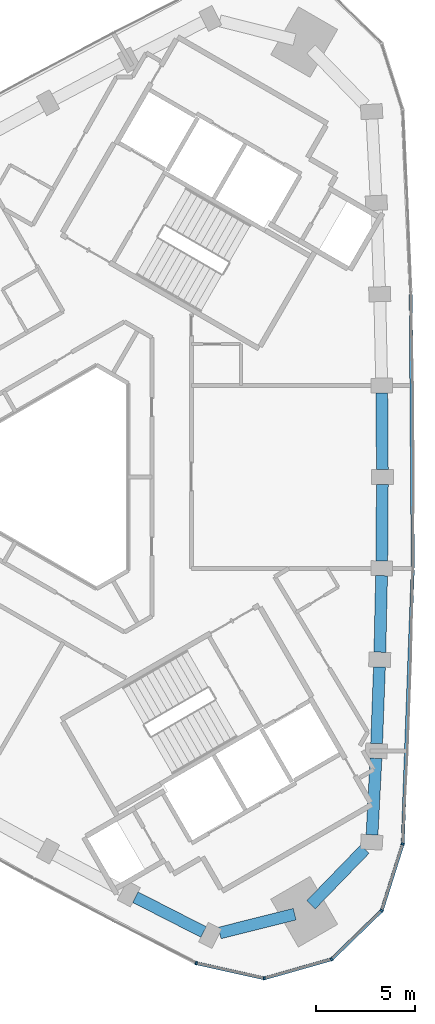
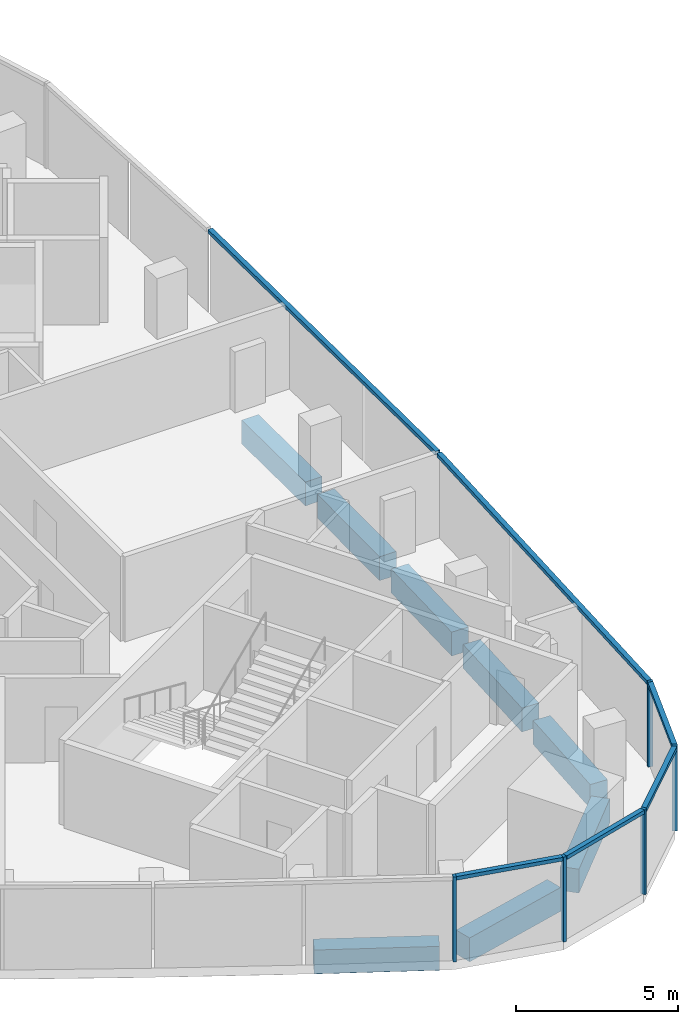
# One storey, part 3 of 11: 11 members, 8 beams, 2 elements without a shape of their own.
"""IFC4 building model written with IfcOpenShell, lengths in metres."""

import ifcopenshell
import ifcopenshell.guid

model = None  # the IFC model being written
_history = None  # IfcOwnerHistory: only IFC2X3 demands one
_inside = {}  # id of a spatial element -> (the spatial element, [elements in it])
_under = {}  # id of a project, library or spatial element -> (it, [spatial elements below it])
_declared = {}  # id of a project -> (the project, [libraries it declares])
_typed = {}  # id of a type object -> (the type object, [elements of that type])
_made_of = {}  # id of a material, layer set ... -> (it, [elements and type objects made of it])


def new_model(schema):
    """Start an empty IFC model of exactly this schema.

    Asked for "IFC4X3", IfcOpenShell would pick the latest addendum, in which some entities
    have other attributes; the version numbers below select the first issue.
    IFC2X3 requires an IfcOwnerHistory on every rooted entity: one is made here for all.
    """
    global model, _history
    if schema == "IFC4X3":
        model = ifcopenshell.file(schema_version=(4, 3, 0, 0))
    else:
        model = ifcopenshell.file(schema=schema)
    _inside.clear()
    _under.clear()
    _declared.clear()
    _typed.clear()
    _made_of.clear()
    _history = None
    if model.schema == "IFC2X3":
        org = make("IfcOrganization", Name="unknown")
        user = make(
            "IfcPersonAndOrganization",
            ThePerson=make("IfcPerson", FamilyName="unknown"),
            TheOrganization=org,
        )
        app = make(
            "IfcApplication",
            ApplicationDeveloper=org,
            Version="unknown",
            ApplicationFullName="unknown",
            ApplicationIdentifier="unknown",
        )
        _history = make(
            "IfcOwnerHistory",
            OwningUser=user,
            OwningApplication=app,
            ChangeAction="ADDED",
            CreationDate=0,
        )
    return model


def make(cls, **values):
    """One entity of the class cls with the attributes given. An attribute that is None is left unset."""
    return model.create_entity(
        cls, **{name: value for name, value in values.items() if value is not None}
    )


def rooted(cls, **values):
    """An entity with a GlobalId (a new one), such as an element, a storey or a relation."""
    return make(cls, GlobalId=ifcopenshell.guid.new(), OwnerHistory=_history, **values)


def si_unit(unit_type, name, prefix=None):
    """IfcSIUnit, for example si_unit("LENGTHUNIT", "METRE", prefix="MILLI")."""
    return make("IfcSIUnit", UnitType=unit_type, Prefix=prefix, Name=name)


def assignment(units):
    """IfcUnitAssignment: the units of a project."""
    return None if units is None else make("IfcUnitAssignment", Units=units)


def point(xyz):
    """IfcCartesianPoint."""
    return None if xyz is None else make("IfcCartesianPoint", Coordinates=xyz)


def direction(xyz):
    """IfcDirection."""
    return None if xyz is None else make("IfcDirection", DirectionRatios=xyz)


def frame(location, z_axis=None, x_axis=None):
    """IfcAxis2Placement3D, a coordinate frame: its origin and axes. An axis left out is left unset."""
    return make(
        "IfcAxis2Placement3D",
        Location=point(location),
        Axis=direction(z_axis),
        RefDirection=direction(x_axis),
    )


def frame_2d(location, x_axis=None):
    """IfcAxis2Placement2D, a coordinate frame in the plane: its origin and x axis."""
    return make(
        "IfcAxis2Placement2D", Location=point(location), RefDirection=direction(x_axis)
    )


def origin():
    """The frame at (0, 0, 0) with its axes left unset."""
    return frame((0.0, 0.0, 0.0))


def origin_2d():
    """The frame at (0, 0) in the plane with its x axis left unset."""
    return frame_2d((0.0, 0.0))


def place(relative_to, where):
    """IfcLocalPlacement: puts the frame where relative to a parent placement (None: the world)."""
    return make(
        "IfcLocalPlacement", PlacementRelTo=relative_to, RelativePlacement=where
    )


def context(
    kind, dimensions, precision=None, world=None, true_north=None, identifier=None
):
    """IfcGeometricRepresentationContext, for example the 3D "Model" context."""
    return make(
        "IfcGeometricRepresentationContext",
        ContextIdentifier=identifier,
        ContextType=kind,
        CoordinateSpaceDimension=dimensions,
        Precision=precision,
        WorldCoordinateSystem=world,
        TrueNorth=true_north,
    )


def subcontext(parent, identifier, kind, view, scale=None):
    """IfcGeometricRepresentationSubContext, for example "Body" below "Model"."""
    return make(
        "IfcGeometricRepresentationSubContext",
        ContextIdentifier=identifier,
        ContextType=kind,
        ParentContext=parent,
        TargetScale=scale,
        TargetView=view,
    )


def project(units=None, contexts=None):
    """IfcProject with its units and contexts."""
    return rooted(
        "IfcProject",
        Name="project",
        RepresentationContexts=contexts,
        UnitsInContext=assignment(units),
    )


def spatial(cls, under=None, at=None, **own):
    """A site, building, storey or space (cls), placed at a placement, below another one or the project."""
    s = rooted(cls, ObjectPlacement=at, **own)
    if under is not None:
        _under.setdefault(under.id(), (under, []))[1].append(s)
    return s


def profile(cls, at=None, kind="AREA", **sizes):
    """A parametric profile (cls). Its sizes go by their IFC names, for example OverallWidth=200.0."""
    return make(cls, ProfileType=kind, Position=at, **sizes)


def rectangle(**sizes):
    """IfcRectangleProfileDef."""
    return profile("IfcRectangleProfileDef", **sizes)


def extrude(swept, where, along, depth):
    """IfcExtrudedAreaSolid: the profile swept, set in the frame where, extruded along a direction by depth."""
    return make(
        "IfcExtrudedAreaSolid",
        SweptArea=swept,
        Position=where,
        ExtrudedDirection=direction(along),
        Depth=depth,
    )


def shape(context_of_items, identifier, shape_type, items):
    """IfcShapeRepresentation: the items that make up one representation, for example the "Body"."""
    return make(
        "IfcShapeRepresentation",
        ContextOfItems=context_of_items,
        RepresentationIdentifier=identifier,
        RepresentationType=shape_type,
        Items=items,
    )


def material(Name=None, Category=None):
    """IfcMaterial."""
    return make("IfcMaterial", Name=Name, Category=Category)


def material_profile(
    of_material, cross_section, Name=None, Category=None, Priority=None
):
    """IfcMaterialProfile: a cross section and its material."""
    return make(
        "IfcMaterialProfile",
        Name=Name,
        Material=of_material,
        Profile=cross_section,
        Priority=Priority,
        Category=Category,
    )


def profile_set(profiles, Name=None, composite=None):
    """IfcMaterialProfileSet."""
    return make(
        "IfcMaterialProfileSet",
        Name=Name,
        MaterialProfiles=profiles,
        CompositeProfile=composite,
    )


def made_of(thing, what):
    """Note that an element or type object is made of a material, layer set ...; save() writes the relation."""
    if what is not None:
        _made_of.setdefault(what.id(), (what, []))[1].append(thing)
    return thing


def type_object(cls, material=None, **own):
    """A type object (cls), such as IfcWallType, which elements share."""
    return made_of(rooted(cls, **own), material)


def element(
    cls,
    number,
    at=None,
    inside=None,
    cuts=None,
    type_object=None,
    material=None,
    context=None,
    identifier="Body",
    shape_type=None,
    held_by="IfcProductDefinitionShape",
    body=None,
    shapes=None,
    **own,
):
    """One element of the class cls, such as IfcWall. Its Tag is "e" and its number.

    at: its placement. inside: the storey or other place that contains it. cuts: it is an
    opening in that element (IfcRelVoidsElement). A single representation is given by context,
    identifier, shape_type and body (its items); several are given by shapes. held_by: the class
    of the entity that holds the representations. save() writes the other relations.
    """
    e = rooted(cls, Tag="e%d" % number, ObjectPlacement=at, **own)
    if body is not None:
        shapes = [shape(context, identifier, shape_type, body)]
    if shapes is not None:
        e.Representation = make(held_by, Representations=shapes)
    if inside is not None:
        _inside.setdefault(inside.id(), (inside, []))[1].append(e)
    if cuts is not None:
        rooted(
            "IfcRelVoidsElement", RelatingBuildingElement=cuts, RelatedOpeningElement=e
        )
    if type_object is not None:
        _typed.setdefault(type_object.id(), (type_object, []))[1].append(e)
    return made_of(e, material)


def aggregate(whole, parts):
    """IfcRelAggregates: a whole, such as a stair, and the parts it consists of."""
    return rooted("IfcRelAggregates", RelatingObject=whole, RelatedObjects=parts)


def save(model, path):
    """Write the relations noted so far, then the file.

    IfcRelAggregates (storeys below a building ...), IfcRelContainedInSpatialStructure (elements
    in a storey), IfcRelDefinesByType, IfcRelAssociatesMaterial and IfcRelDeclares: one each for
    every whole, place, type object, material and project.
    """
    for whole, parts in _under.values():
        aggregate(whole, parts)
    for where, things in _inside.values():
        rooted(
            "IfcRelContainedInSpatialStructure",
            RelatedElements=things,
            RelatingStructure=where,
        )
    for kind, things in _typed.values():
        rooted("IfcRelDefinesByType", RelatedObjects=things, RelatingType=kind)
    for what, things in _made_of.values():
        rooted("IfcRelAssociatesMaterial", RelatedObjects=things, RelatingMaterial=what)
    for by, libraries in _declared.values():
        rooted("IfcRelDeclares", RelatingContext=by, RelatedDefinitions=libraries)
    model.write(path)


model = new_model("IFC4")

# Units and contexts
model_context = context("Model", 3, precision=1e-05, world=origin(), true_north=direction((0.0, 1.0)))
body_context = subcontext(model_context, "Body", "Model", "MODEL_VIEW")
ifc_project = project(units=[si_unit("LENGTHUNIT", "METRE"), si_unit("AREAUNIT", "SQUARE_METRE"), si_unit("VOLUMEUNIT", "CUBIC_METRE"), si_unit("PLANEANGLEUNIT", "RADIAN"), si_unit("MASSUNIT", "GRAM", prefix="KILO")], contexts=[model_context])

# Site, building, storey
site_placement = place(None, origin())
site = spatial("IfcSite", under=ifc_project, at=site_placement, CompositionType="ELEMENT")
building_placement = place(site_placement, origin())
building = spatial("IfcBuilding", under=site, at=building_placement, Name="Tamra Quay Hotel Tower", CompositionType="ELEMENT")
storey_placement = place(building_placement, frame((0.0, 0.0, 253.800048828125)))
storey = spatial("IfcBuildingStorey", under=building, at=storey_placement, Name="L64", CompositionType="ELEMENT", Elevation=253.800048828125)

# Curtain wall, member
ifc_material_1 = material(Name="Aluminium 6063 anodised dark grey", Category="aluminium")
curtain_wall_type_1 = type_object("IfcCurtainWallType", Name="CW1 CURTAIN WALL", PredefinedType="NOTDEFINED", material=ifc_material_1)
curtain_wall_1_placement = place(storey_placement, origin())
curtain_wall_1 = element("IfcCurtainWall", 1, at=curtain_wall_1_placement, inside=storey, type_object=curtain_wall_type_1, Name="CW1 east face L64", PredefinedType="NOTDEFINED")
ifc_material_profile_1 = material_profile(ifc_material_1, rectangle(XDim=0.169921875, YDim=0.10009765625, at=origin_2d()), Name="MULLION 100X170")
ifc_profile_set_1 = profile_set([ifc_material_profile_1], Name="Aluminium 6063 anodised dark grey")
member_type_1 = type_object("IfcMemberType", Name="MULLION CW1 Z5", PredefinedType="MULLION", material=ifc_profile_set_1)
member_1_placement = place(storey_placement, frame((17.69677734375, -18.5830078125, 0.0), z_axis=(0.0, 0.0, 1.0), x_axis=(0.984105321789, -0.177585797933, 0.0)))
member_1 = element("IfcMember", 2, at=member_1_placement, type_object=member_type_1, Name="CW1 mullion L64.E.1", PredefinedType="MULLION", context=body_context, shape_type="SweptSolid", body=[
    extrude(rectangle(XDim=0.169921875, YDim=0.10009765625, at=origin_2d()), origin(), (0.0, 0.0, 1.0), 3.199951171875),
])

# Curtain wall, members
curtain_wall_type_2 = type_object("IfcCurtainWallType", Name="CW3 CURTAIN WALL", PredefinedType="NOTDEFINED", material=ifc_material_1)
curtain_wall_2_placement = place(storey_placement, origin())
curtain_wall_2 = element("IfcCurtainWall", 3, at=curtain_wall_2_placement, inside=storey, type_object=curtain_wall_type_2, Name="CW3 south-west face L64", PredefinedType="NOTDEFINED")
ifc_material_profile_2 = material_profile(ifc_material_1, rectangle(XDim=0.169921875, YDim=0.10009765625, at=origin_2d()), Name="MULLION 100X170")
ifc_profile_set_2 = profile_set([ifc_material_profile_2], Name="Aluminium 6063 anodised dark grey")
member_type_2 = type_object("IfcMemberType", Name="MULLION CW3 Z5", PredefinedType="MULLION", material=ifc_profile_set_2)
member_2_placement = place(storey_placement, frame((7.244873046875, -24.617431640625, 0.0), z_axis=(0.0, 0.0, 1.0), x_axis=(-0.338258848533, -0.941053107635, 0.0)))
member_2 = element("IfcMember", 4, at=member_2_placement, type_object=member_type_2, Name="CW3 mullion L64.SW.9", PredefinedType="MULLION", context=body_context, shape_type="SweptSolid", body=[
    extrude(rectangle(XDim=0.169921875, YDim=0.10009765625, at=origin_2d()), origin(), (0.0, 0.0, 1.0), 3.199951171875),
])
member_3_placement = place(storey_placement, frame((10.6962890625, -25.3818359375, 0.0), z_axis=(0.0, 0.0, 1.0), x_axis=(0.029222506575, -0.999572931361, 0.0)))
member_3 = element("IfcMember", 5, at=member_3_placement, type_object=member_type_2, Name="CW3 mullion L64.SW.10", PredefinedType="MULLION", context=body_context, shape_type="SweptSolid", body=[
    extrude(rectangle(XDim=0.169921875, YDim=0.10009765625, at=origin_2d()), origin(), (0.0, 0.0, 1.0), 3.199951171875),
])
member_4_placement = place(storey_placement, frame((14.09716796875, -24.4169921875, 0.0), z_axis=(0.0, 0.0, 1.0), x_axis=(0.5, -0.866025403784, 0.0)))
member_4 = element("IfcMember", 6, at=member_4_placement, type_object=member_type_2, Name="CW3 mullion L64.SW.11", PredefinedType="MULLION", context=body_context, shape_type="SweptSolid", body=[
    extrude(rectangle(XDim=0.169921875, YDim=0.10009765625, at=origin_2d()), origin(), (0.0, 0.0, 1.0), 3.199951171875),
])
member_5_placement = place(storey_placement, frame((16.633056640625, -21.9541015625, 0.0), z_axis=(0.0, 0.0, 1.0), x_axis=(0.851044298206, -0.525093898736, 0.0)))
member_5 = element("IfcMember", 7, at=member_5_placement, type_object=member_type_2, Name="CW3 mullion L64.SW.12", PredefinedType="MULLION", context=body_context, shape_type="SweptSolid", body=[
    extrude(rectangle(XDim=0.169921875, YDim=0.10009765625, at=origin_2d()), origin(), (0.0, 0.0, 1.0), 3.199951171875),
])

# Beams
ifc_material_2 = material(Name="Concrete M60", Category="concrete")
ifc_material_profile_3 = material_profile(ifc_material_2, rectangle(XDim=0.60009765625, YDim=0.89990234375, at=origin_2d()), Name="SPANDREL BEAM RC 600x900")
ifc_profile_set_3 = profile_set([ifc_material_profile_3], Name="Concrete M60")
beam_type = type_object("IfcBeamType", Name="SPANDREL BEAM RC 600x900", PredefinedType="SPANDREL", material=ifc_profile_set_3)
beam_1_placement = place(storey_placement, frame((16.144775390625, -18.116455078125, -0.800048828125), z_axis=(0.051404854824, 0.998677896471, 0.0), x_axis=(-0.998677896471, 0.051404854824, 0.0)))
element("IfcBeam", 8, at=beam_1_placement, inside=storey, type_object=beam_type, Name="BM-SP5-000-L64", PredefinedType="SPANDREL", context=body_context, shape_type="SweptSolid", body=[
    extrude(rectangle(XDim=0.60009765625, YDim=0.89990234375, at=origin_2d()), origin(), (0.0, 0.0, 1.0), 3.87548828125),
])
beam_2_placement = place(storey_placement, frame((16.377197265625, -13.496826171875, -0.800048828125), z_axis=(0.036732019634, 0.999325151657, 0.0), x_axis=(-0.999325151657, 0.036732019634, 0.0)))
element("IfcBeam", 9, at=beam_2_placement, inside=storey, type_object=beam_type, Name="BM-SP5-001-L64", PredefinedType="SPANDREL", context=body_context, shape_type="SweptSolid", body=[
    extrude(rectangle(XDim=0.60009765625, YDim=0.89990234375, at=origin_2d()), origin(), (0.0, 0.0, 1.0), 3.875),
])
beam_3_placement = place(storey_placement, frame((16.54150390625, -8.874755859375, -0.800048828125), z_axis=(0.022047440235, 0.999756925647, 0.0), x_axis=(-0.999756925647, 0.022047440235, 0.0)))
element("IfcBeam", 10, at=beam_3_placement, inside=storey, type_object=beam_type, Name="BM-SP5-002-L64", PredefinedType="SPANDREL", context=body_context, shape_type="SweptSolid", body=[
    extrude(rectangle(XDim=0.60009765625, YDim=0.89990234375, at=origin_2d()), origin(), (0.0, 0.0, 1.0), 3.875732421875),
])
for number, where, z_axis, x_axis, name in (
    (11, (16.63818359375, -4.25, -0.800048828125), (0.007308272564, 0.999973294219, 0.0), (-0.999973294219, 0.007308272564, 0.0), "BM-SP5-003-L64"),
    (12, (16.66650390625, 0.375, -0.800048828125), (-0.007308272564, 0.999973294219, 0.0), (-0.999973294219, -0.007308272564, 0.0), "BM-SP5-004-L64"),
):
    element("IfcBeam", number, at=place(storey_placement, frame(where, z_axis=z_axis, x_axis=x_axis)), inside=storey, type_object=beam_type, Name=name, PredefinedType="SPANDREL", context=body_context, shape_type="SweptSolid", body=[
        extrude(rectangle(XDim=0.60009765625, YDim=0.89990234375, at=origin_2d()), origin(), (0.0, 0.0, 1.0), 3.875),
    ])
beam_4_placement = place(storey_placement, frame((4.16552734375, -21.277587890625, -0.800048828125), z_axis=(0.890602550436, -0.454782472349, 0.0), x_axis=(0.454782472349, 0.890602550436, 0.0)))
element("IfcBeam", 13, at=beam_4_placement, inside=storey, type_object=beam_type, Name="BM-SP5-027-L64", PredefinedType="SPANDREL", context=body_context, shape_type="SweptSolid", body=[
    extrude(rectangle(XDim=0.60009765625, YDim=0.89990234375, at=origin_2d()), origin(), (0.0, 0.0, 1.0), 3.87548828125),
])
beam_5_placement = place(storey_placement, frame((8.430908203125, -23.090087890625, -0.800048828125), z_axis=(0.969848171666, 0.243709917558, 0.0), x_axis=(-0.243709917558, 0.969848171666, 0.0)))
element("IfcBeam", 14, at=beam_5_placement, inside=storey, type_object=beam_type, Name="BM-SP5-028-L64", PredefinedType="SPANDREL", context=body_context, shape_type="SweptSolid", body=[
    extrude(rectangle(XDim=0.60009765625, YDim=0.89990234375, at=origin_2d()), origin(), (0.0, 0.0, 1.0), 3.912841796875),
])
beam_6_placement = place(storey_placement, frame((13.05810546875, -21.656005859375, -0.800048828125), z_axis=(0.69594408001, 0.718095980701, 0.0), x_axis=(-0.718095980701, 0.69594408001, 0.0)))
element("IfcBeam", 15, at=beam_6_placement, inside=storey, type_object=beam_type, Name="BM-SP5-029-L64", PredefinedType="SPANDREL", context=body_context, shape_type="SweptSolid", body=[
    extrude(rectangle(XDim=0.60009765625, YDim=0.89990234375, at=origin_2d()), origin(), (0.0, 0.0, 1.0), 3.91259765625),
])

# Member
ifc_material_profile_4 = material_profile(ifc_material_1, rectangle(XDim=0.169921875, YDim=0.139892578125, at=origin_2d()), Name="TRANSOM 170X140")
ifc_profile_set_4 = profile_set([ifc_material_profile_4], Name="Aluminium 6063 anodised dark grey")
member_type_3 = type_object("IfcMemberType", Name="TRANSOM CW1 Z5", PredefinedType="USERDEFINED", material=ifc_profile_set_4)
member_6_placement = place(storey_placement, frame((17.699462890625, -18.532958984375, 3.1298828125), z_axis=(0.03673444579, 0.999325062476, 0.0), x_axis=(-0.999325062476, 0.03673444579, 0.0)))
member_6 = element("IfcMember", 16, at=member_6_placement, type_object=member_type_3, Name="CW1 transom L64.E.1", ObjectType="TRANSOM", PredefinedType="USERDEFINED", context=body_context, shape_type="SweptSolid", body=[
    extrude(rectangle(XDim=0.169921875, YDim=0.139892578125, at=origin_2d()), origin(), (0.0, 0.0, 1.0), 13.84375),
])

member_7_placement = place(storey_placement, frame((18.20947265625, -4.5986328125, 3.1298828125), z_axis=(-0.00735365003, 0.99997296155, 0.0), x_axis=(-0.99997296155, -0.00735365003, 0.0)))
member_7 = element("IfcMember", 17, at=member_7_placement, type_object=member_type_3, Name="CW1 transom L64.E.4", ObjectType="TRANSOM", PredefinedType="USERDEFINED", context=body_context, shape_type="SweptSolid", body=[
    extrude(rectangle(XDim=0.169921875, YDim=0.139892578125, at=origin_2d()), origin(), (0.0, 0.0, 1.0), 13.844482421875),
])

aggregate(curtain_wall_1, [member_1, member_6, member_7])

ifc_material_profile_5 = material_profile(ifc_material_1, rectangle(XDim=0.169921875, YDim=0.139892578125, at=origin_2d()), Name="TRANSOM 170X140")
ifc_profile_set_5 = profile_set([ifc_material_profile_5], Name="Aluminium 6063 anodised dark grey")
member_type_4 = type_object("IfcMemberType", Name="TRANSOM CW3 Z5", PredefinedType="USERDEFINED", material=ifc_profile_set_5)
member_8_placement = place(storey_placement, frame((7.293701171875, -24.628173828125, 3.1298828125), z_axis=(0.976332331622, -0.21627569958, 0.0), x_axis=(0.21627569958, 0.976332331622, 0.0)))
member_8 = element("IfcMember", 18, at=member_8_placement, type_object=member_type_4, Name="CW3 transom L64.SW.9", ObjectType="TRANSOM", PredefinedType="USERDEFINED", context=body_context, shape_type="SweptSolid", body=[
    extrude(rectangle(XDim=0.169921875, YDim=0.139892578125, at=origin_2d()), origin(), (0.0, 0.0, 1.0), 3.43505859375),
])

member_9_placement = place(storey_placement, frame((10.744384765625, -25.3681640625, 3.1298828125), z_axis=(0.962037198813, 0.272918354273, 0.0), x_axis=(-0.272918354273, 0.962037198813, 0.0)))
member_9 = element("IfcMember", 19, at=member_9_placement, type_object=member_type_4, Name="CW3 transom L64.SW.10", ObjectType="TRANSOM", PredefinedType="USERDEFINED", context=body_context, shape_type="SweptSolid", body=[
    extrude(rectangle(XDim=0.169921875, YDim=0.139892578125, at=origin_2d()), origin(), (0.0, 0.0, 1.0), 3.43505859375),
])

member_10_placement = place(storey_placement, frame((14.133056640625, -24.38232421875, 3.1298828125), z_axis=(0.717337227603, 0.696726131199, 0.0), x_axis=(-0.696726131199, 0.717337227603, 0.0)))
member_10 = element("IfcMember", 20, at=member_10_placement, type_object=member_type_4, Name="CW3 transom L64.SW.11", ObjectType="TRANSOM", PredefinedType="USERDEFINED", context=body_context, shape_type="SweptSolid", body=[
    extrude(rectangle(XDim=0.169921875, YDim=0.139892578125, at=origin_2d()), origin(), (0.0, 0.0, 1.0), 3.43505859375),
])

member_11_placement = place(storey_placement, frame((16.648193359375, -21.906494140625, 3.1298828125), z_axis=(0.30092047073, 0.953649238607, 0.0), x_axis=(-0.953649238607, 0.30092047073, 0.0)))
member_11 = element("IfcMember", 21, at=member_11_placement, type_object=member_type_4, Name="CW3 transom L64.SW.12", ObjectType="TRANSOM", PredefinedType="USERDEFINED", context=body_context, shape_type="SweptSolid", body=[
    extrude(rectangle(XDim=0.169921875, YDim=0.139892578125, at=origin_2d()), origin(), (0.0, 0.0, 1.0), 3.43505859375),
])

aggregate(curtain_wall_2, [member_2, member_8, member_3, member_9, member_4, member_10, member_5, member_11])

save(model, "model.ifc")
